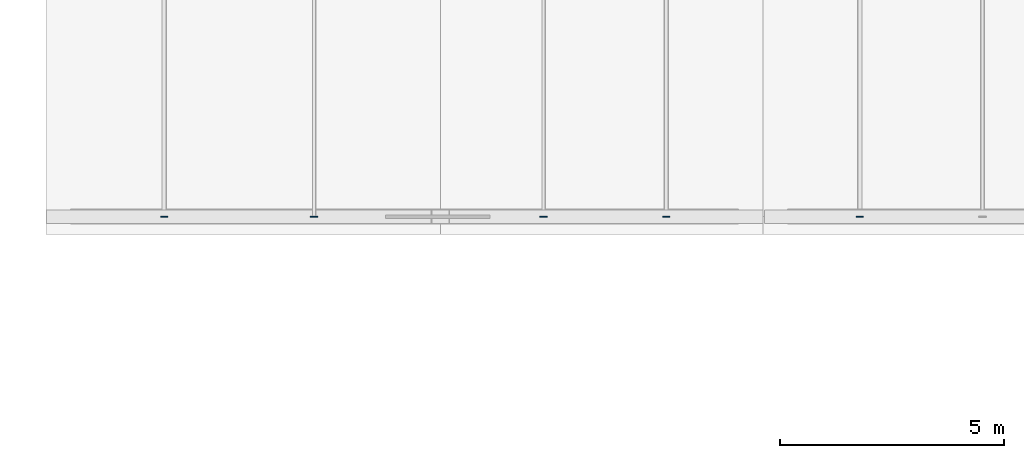
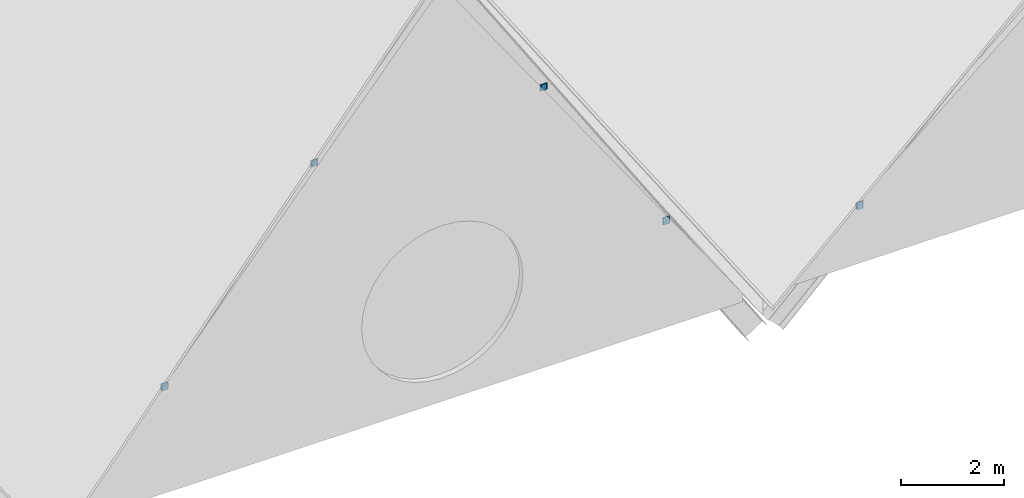
# One storey, part 40 of 64: 10 plates.
"""IFC4 building model written with IfcOpenShell, lengths in metres."""

from ifc_helpers import new_model, si_unit, direction, frame, origin, origin_2d, place, context, subcontext, project, spatial, rectangle, extrude, material, layer, layer_set, type_object, element, save


model = new_model("IFC4")

# Units and contexts
model_context = context("Model", 3, precision=1e-05, world=origin(), true_north=direction((0.0, 1.0)))
body_context = subcontext(model_context, "Body", "Model", "MODEL_VIEW")
ifc_project = project(units=[si_unit("LENGTHUNIT", "METRE"), si_unit("AREAUNIT", "SQUARE_METRE"), si_unit("VOLUMEUNIT", "CUBIC_METRE"), si_unit("PLANEANGLEUNIT", "RADIAN"), si_unit("MASSUNIT", "GRAM", prefix="KILO")], contexts=[model_context])

# Site, building, storey
site_placement = place(None, origin())
site = spatial("IfcSite", under=ifc_project, at=site_placement, CompositionType="ELEMENT")
building_placement = place(site_placement, origin())
building = spatial("IfcBuilding", under=site, at=building_placement, Name="Zhaolan Boulevard Law Courts", CompositionType="ELEMENT")
storey_placement = place(building_placement, frame((0.0, 0.0, 20.39990234375)))
storey = spatial("IfcBuildingStorey", under=building, at=storey_placement, Name="L04", CompositionType="ELEMENT", Elevation=20.39990234375)

# Plates
ifc_material = material(Name="Structural steel Q355B", Category="steel")
ifc_layer = layer(ifc_material, 0.02001953125)
ifc_layer_set = layer_set([ifc_layer])
plate_type = type_object("IfcPlateType", Name="END CAP PLATE 20", PredefinedType="SHEET", material=ifc_layer_set)
for number, where, z_axis, x_axis, name in (
    (1, (54.639892578125, 62.0, 2.5322265625), (0.0, 0.0, 1.0), (1.0, 0.0, 0.0), "Purlin End-Cap Plate ECP-GPR1WS"),
    (2, (65.840087890625, 62.0, 2.5322265625), (0.0, 0.0, 1.0), (1.0, 0.0, 0.0), "Purlin End-Cap Plate ECP-GPR1ES"),
    (3, (57.98388671875, 62.0, 6.63623046875), (0.0, 0.0, 1.0), (1.0, 0.0, 0.0), "Purlin End-Cap Plate ECP-GPR1WS"),
    (4, (63.10400390625, 62.0, 6.63623046875), (0.0, 0.0, 1.0), (1.0, 0.0, 0.0), "Purlin End-Cap Plate ECP-GPR1ES"),
    (5, (70.159912109375, 62.0, 1.376953125), (0.0, 0.0, 1.0), (1.0, 0.0, 0.0), "Purlin End-Cap Plate ECP-GPR2WS"),
):
    element("IfcPlate", number, at=place(storey_placement, frame(where, z_axis=z_axis, x_axis=x_axis)), inside=storey, type_object=plate_type, Name=name, PredefinedType="SHEET", context=body_context, shape_type="SweptSolid", body=[
        extrude(rectangle(XDim=0.159912109375, YDim=0.02001953125, at=origin_2d()), origin(), (0.0, 0.0, 1.0), 0.159912109375),
    ])
for number, where, z_axis, x_axis, name in (
    (6, (54.639892578125, 61.991943359375, 2.52197265625), (0.0, 0.0, 1.0), (0.0, 1.0, 0.0), "Hollow Section End-Cap Plate ECP-1425"),
    (7, (65.840087890625, 61.991943359375, 2.52197265625), (0.0, 0.0, 1.0), (0.0, 1.0, 0.0), "Hollow Section End-Cap Plate ECP-1427"),
):
    element("IfcPlate", number, at=place(storey_placement, frame(where, z_axis=z_axis, x_axis=x_axis)), inside=storey, type_object=plate_type, Name=name, PredefinedType="SHEET", context=body_context, shape_type="SweptSolid", body=[
        extrude(rectangle(XDim=0.02001953125, YDim=0.1298828125, at=origin_2d()), origin(), (0.0, 0.0, 1.0), 0.179931640625),
    ])
for number, where, z_axis, x_axis, name in (
    (8, (57.98388671875, 61.991943359375, 6.64111328125), (0.0, 0.0, 1.0), (0.0, 1.0, 0.0), "Hollow Section End-Cap Plate ECP-1429"),
    (9, (63.10400390625, 61.991943359375, 6.64111328125), (0.0, 0.0, 1.0), (0.0, 1.0, 0.0), "Hollow Section End-Cap Plate ECP-1431"),
):
    element("IfcPlate", number, at=place(storey_placement, frame(where, z_axis=z_axis, x_axis=x_axis)), inside=storey, type_object=plate_type, Name=name, PredefinedType="SHEET", context=body_context, shape_type="SweptSolid", body=[
        extrude(rectangle(XDim=0.02001953125, YDim=0.110107421875, at=origin_2d()), origin(), (0.0, 0.0, 1.0), 0.14990234375),
    ])
plate_placement = place(storey_placement, frame((70.159912109375, 61.991943359375, 1.3671875), z_axis=(0.0, 0.0, 1.0), x_axis=(0.0, 1.0, 0.0)))
element("IfcPlate", 10, at=plate_placement, inside=storey, type_object=plate_type, Name="Hollow Section End-Cap Plate ECP-1433", PredefinedType="SHEET", context=body_context, shape_type="SweptSolid", body=[
    extrude(rectangle(XDim=0.02001953125, YDim=0.1298828125, at=origin_2d()), origin(), (0.0, 0.0, 1.0), 0.179931640625),
])

save(model, "model.ifc")
